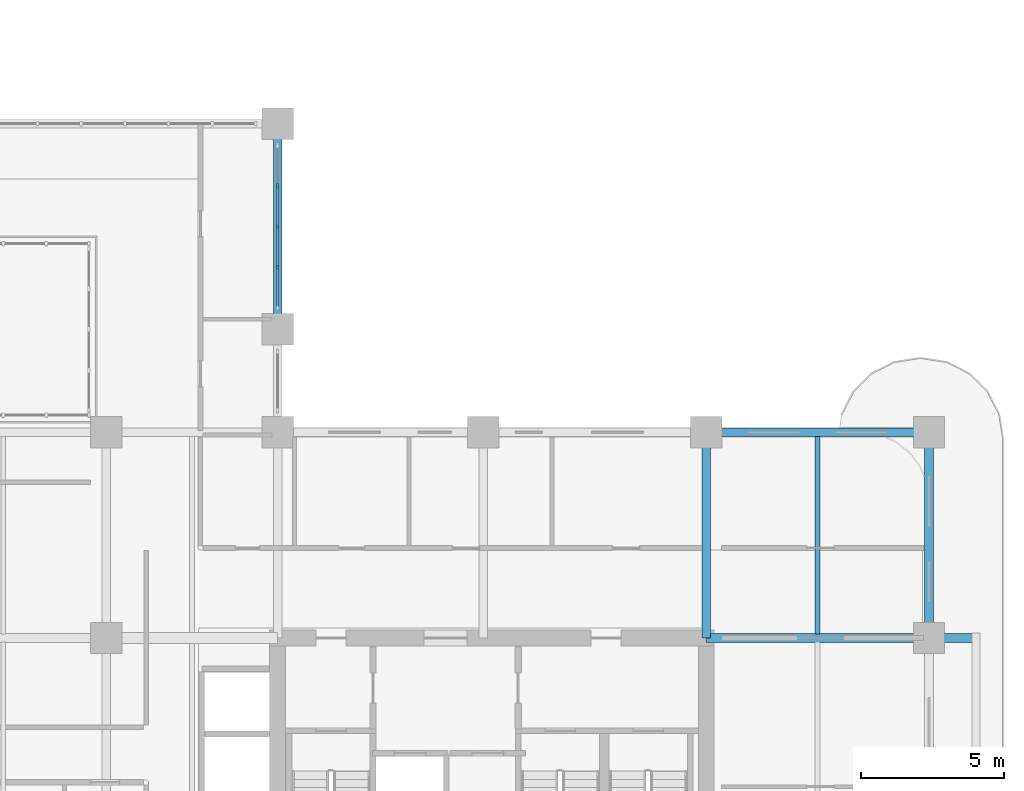
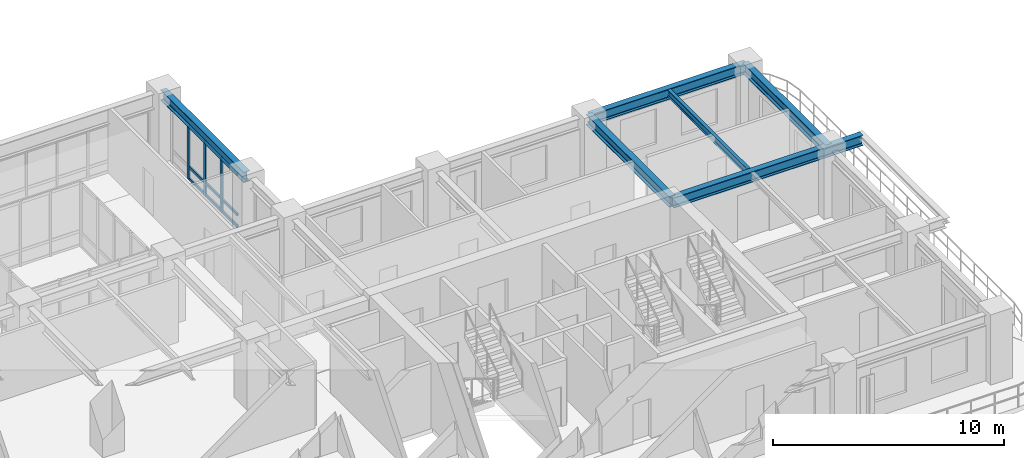
# One storey, part 5 of 22: 12 members, 6 beams, 1 element without a shape of its own.
"""IFC4 building model written with IfcOpenShell, lengths in metres."""

from ifc_helpers import new_model, si_unit, derived_unit, direction, frame, origin, origin_2d, place, context, subcontext, project, spatial, rectangle, i_section, extrude, source, transform, mapped, material, layer, layer_set, material_profile, profile_set, type_object, type_shapes, element, aggregate, save


model = new_model("IFC4")

# Units and contexts
model_context = context("Model", 3, precision=1e-05, world=origin(), true_north=direction((0.0, 1.0)))
body_context = subcontext(model_context, "Body", "Model", "MODEL_VIEW")
ifc_project = project(units=[si_unit("LENGTHUNIT", "METRE"), si_unit("AREAUNIT", "SQUARE_METRE"), si_unit("VOLUMEUNIT", "CUBIC_METRE"), si_unit("PLANEANGLEUNIT", "RADIAN"), si_unit("MASSUNIT", "GRAM", prefix="KILO"), si_unit("THERMODYNAMICTEMPERATUREUNIT", "KELVIN"), si_unit("POWERUNIT", "WATT"), derived_unit("THERMALTRANSMITTANCEUNIT", [(si_unit("POWERUNIT", "WATT"), 1), (si_unit("AREAUNIT", "SQUARE_METRE"), -1), (si_unit("THERMODYNAMICTEMPERATUREUNIT", "KELVIN"), -1)])], contexts=[model_context])

# Site, building, storey
site_placement = place(None, origin())
site = spatial("IfcSite", under=ifc_project, at=site_placement, CompositionType="ELEMENT")
building_placement = place(site_placement, origin())
building = spatial("IfcBuilding", under=site, at=building_placement, Name="Zahravan Archway Hotel and Residences", CompositionType="ELEMENT")
storey_placement = place(building_placement, frame((0.0, 0.0, 76.800048828125)))
storey = spatial("IfcBuildingStorey", under=building, at=storey_placement, Name="L18", CompositionType="ELEMENT", Elevation=76.800048828125)

# Beams
ifc_material_1 = material(Name="Structural Steel S355JR", Category="steel")
ifc_material_profile_1 = material_profile(ifc_material_1, i_section(OverallWidth=0.300048828125, OverallDepth=0.550048828125, WebThickness=0.014892578125, FlangeThickness=0.029052734375, FilletRadius=0.027099609375, at=origin_2d()), Name="HEB 550", Category="steel")
ifc_profile_set_1 = profile_set([ifc_material_profile_1], Name="Structural Steel S355JR")
beam_type_1 = type_object("IfcBeamType", Name="BM-PRI-HEB550", PredefinedType="BEAM", material=ifc_profile_set_1)
shared_shape_1 = source(origin(), body_context, "Body", "SweptSolid", [
    extrude(i_section(OverallWidth=0.300048828125, OverallDepth=0.550048828125, WebThickness=0.014892578125, FlangeThickness=0.029052734375, FilletRadius=0.027099609375, at=origin_2d()), origin(), (0.0, 0.0, 1.0), 7.2001953125),
])
type_shapes(beam_type_1, [shared_shape_1])
for number, where, z_axis, x_axis, name in (
    (1, (49.800048828125, 14.39990234375, 3.175048828125), (0.0, 1.0, 0.0), (-1.0, 0.0, 0.0), "L18 Primary Girder NS-49"),
    (2, (57.60009765625, 14.39990234375, 3.175048828125), (0.0, 1.0, 0.0), (-1.0, 0.0, 0.0), "L18 Primary Girder NS-52"),
):
    element("IfcBeam", number, at=place(storey_placement, frame(where, z_axis=z_axis, x_axis=x_axis)), inside=storey, type_object=beam_type_1, Name=name, PredefinedType="BEAM", context=body_context, shape_type="MappedRepresentation", body=[
        mapped(shared_shape_1, transform((0.0, 0.0, 0.0), scale=1.0)),
    ])
shared_shape_2 = source(origin(), body_context, "Body", "SweptSolid", [
    extrude(i_section(OverallWidth=0.300048828125, OverallDepth=0.550048828125, WebThickness=0.014892578125, FlangeThickness=0.029052734375, FilletRadius=0.027099609375, at=origin_2d()), origin(), (0.0, 0.0, 1.0), 7.199951171875),
])
beam_1_placement = place(storey_placement, frame((34.800048828125, 25.199951171875, 3.175048828125), z_axis=(0.0, 1.0, 0.0), x_axis=(-1.0, 0.0, 0.0)))
element("IfcBeam", 3, at=beam_1_placement, inside=storey, type_object=beam_type_1, Name="L18 Primary Girder NS-47", PredefinedType="BEAM", context=body_context, shape_type="MappedRepresentation", body=[
    mapped(shared_shape_2, transform((0.0, 0.0, 0.0), scale=1.0)),
])
shared_shape_3 = source(origin(), body_context, "Body", "SweptSolid", [
    extrude(i_section(OverallWidth=0.300048828125, OverallDepth=0.550048828125, WebThickness=0.014892578125, FlangeThickness=0.029052734375, FilletRadius=0.027099609375, at=origin_2d()), origin(), (0.0, 0.0, 1.0), 7.800048828125),
])
beam_2_placement = place(storey_placement, frame((49.800048828125, 21.60009765625, 3.175048828125), z_axis=(1.0, 0.0, 0.0), x_axis=(0.0, 1.0, 0.0)))
element("IfcBeam", 4, at=beam_2_placement, inside=storey, type_object=beam_type_1, Name="L18 Primary Girder EW-19", PredefinedType="BEAM", context=body_context, shape_type="MappedRepresentation", body=[
    mapped(shared_shape_3, transform((0.0, 0.0, 0.0), scale=1.0)),
])
shared_shape_4 = source(origin(), body_context, "Body", "SweptSolid", [
    extrude(i_section(OverallWidth=0.300048828125, OverallDepth=0.550048828125, WebThickness=0.014892578125, FlangeThickness=0.029052734375, FilletRadius=0.027099609375, at=origin_2d()), origin(), (0.0, 0.0, 1.0), 9.449951171875),
])
beam_3_placement = place(storey_placement, frame((49.800048828125, 14.39990234375, 3.175048828125), z_axis=(1.0, 0.0, 0.0), x_axis=(0.0, 1.0, 0.0)))
element("IfcBeam", 5, at=beam_3_placement, inside=storey, type_object=beam_type_1, Name="L18 Primary Girder EW-13", PredefinedType="BEAM", context=body_context, shape_type="MappedRepresentation", body=[
    mapped(shared_shape_4, transform((0.0, 0.0, 0.0), scale=1.0)),
])
ifc_material_profile_2 = material_profile(ifc_material_1, i_section(OverallWidth=0.169921875, OverallDepth=0.360107421875, WebThickness=0.008056640625, FlangeThickness=0.0126953125, FilletRadius=0.01806640625, at=origin_2d()), Name="IPE 360", Category="steel")
ifc_profile_set_2 = profile_set([ifc_material_profile_2], Name="Structural Steel S355JR")
beam_type_2 = type_object("IfcBeamType", Name="BM-JST-IPE360", PredefinedType="JOIST", material=ifc_profile_set_2)
shared_shape_5 = source(origin(), body_context, "Body", "SweptSolid", [
    extrude(i_section(OverallWidth=0.169921875, OverallDepth=0.360107421875, WebThickness=0.008056640625, FlangeThickness=0.0126953125, FilletRadius=0.01806640625, at=origin_2d()), origin(), (0.0, 0.0, 1.0), 6.90380859375),
])
beam_4_placement = place(storey_placement, frame((53.699951171875, 14.548095703125, 3.27001953125), z_axis=(0.0, 1.0, 0.0), x_axis=(-1.0, 0.0, 0.0)))
element("IfcBeam", 6, at=beam_4_placement, inside=storey, type_object=beam_type_2, Name="L18 Composite Floor Joist 12", PredefinedType="JOIST", context=body_context, shape_type="MappedRepresentation", body=[
    mapped(shared_shape_5, transform((0.0, 0.0, 0.0), scale=1.0)),
])

# Curtain wall, members
ifc_material_2 = material(Name="Bronze-Anodized Unitised Aluminium & Low-E Glass", Category="aluminium")
ifc_layer = layer(ifc_material_2, 0.179931640625, Name="Bronze-Anodized Unitised Aluminium & Low-E Glass", Category="aluminium")
ifc_layer_set = layer_set([ifc_layer], Name="Bronze-Anodized Unitised Aluminium & Low-E Glass")
curtain_wall_type = type_object("IfcCurtainWallType", Name="CW-ATR-GLAZ", PredefinedType="NOTDEFINED", material=ifc_layer_set)
curtain_wall_placement = place(storey_placement, origin())
curtain_wall = element("IfcCurtainWall", 7, at=curtain_wall_placement, inside=storey, type_object=curtain_wall_type, Name="L18 Curtain Wall CW-L18-HNG-E-2", PredefinedType="NOTDEFINED")
ifc_material_3 = material(Name="Bronze-Anodized Extruded Aluminium", Category="aluminium")
ifc_material_profile_3 = material_profile(ifc_material_3, rectangle(XDim=0.080078125, YDim=0.139892578125, at=origin_2d()), Name="TRN 80x140", Category="aluminium")
ifc_profile_set_3 = profile_set([ifc_material_profile_3], Name="Bronze-Anodized Extruded Aluminium")
member_type_1 = type_object("IfcMemberType", Name="CWM-TRN-140", PredefinedType="USERDEFINED", material=ifc_profile_set_3)
shared_shape_6 = source(origin(), body_context, "Body", "SweptSolid", [
    extrude(rectangle(XDim=0.080078125, YDim=0.139892578125, at=origin_2d()), origin(), (0.0, 0.0, 1.0), 1.33984375),
])
member_1_placement = place(storey_placement, frame((34.800048828125, 28.840087890625, 0.070068359375), z_axis=(0.0, 1.0, 0.0), x_axis=(-1.0, 0.0, 0.0)))
member_1 = element("IfcMember", 8, at=member_1_placement, type_object=member_type_1, Name="CW-L18-HNG-E-2 Transom 2-1", ObjectType="TRANSOM", PredefinedType="USERDEFINED", context=body_context, shape_type="MappedRepresentation", body=[
    mapped(shared_shape_6, transform((0.0, 0.0, 0.0), scale=1.0)),
])
member_2_placement = place(storey_placement, frame((34.800048828125, 28.840087890625, 0.6923828125), z_axis=(0.0, 1.0, 0.0), x_axis=(-1.0, 0.0, 0.0)))
member_2 = element("IfcMember", 9, at=member_2_placement, type_object=member_type_1, Name="CW-L18-HNG-E-2 Transom 2-2", ObjectType="TRANSOM", PredefinedType="USERDEFINED", context=body_context, shape_type="MappedRepresentation", body=[
    mapped(shared_shape_6, transform((0.0, 0.0, 0.0), scale=1.0)),
])
member_3_placement = place(storey_placement, frame((34.800048828125, 28.840087890625, 2.81494140625), z_axis=(0.0, 1.0, 0.0), x_axis=(-1.0, 0.0, 0.0)))
member_3 = element("IfcMember", 10, at=member_3_placement, type_object=member_type_1, Name="CW-L18-HNG-E-2 Transom 2-3", ObjectType="TRANSOM", PredefinedType="USERDEFINED", context=body_context, shape_type="MappedRepresentation", body=[
    mapped(shared_shape_6, transform((0.0, 0.0, 0.0), scale=1.0)),
])
shared_shape_7 = source(origin(), body_context, "Body", "SweptSolid", [
    extrude(rectangle(XDim=0.080078125, YDim=0.139892578125, at=origin_2d()), origin(), (0.0, 0.0, 1.0), 1.340087890625),
])
member_4_placement = place(storey_placement, frame((34.800048828125, 26.0, 0.070068359375), z_axis=(0.0, 1.0, 0.0), x_axis=(-1.0, 0.0, 0.0)))
member_4 = element("IfcMember", 11, at=member_4_placement, type_object=member_type_1, Name="CW-L18-HNG-E-2 Transom 0-1", ObjectType="TRANSOM", PredefinedType="USERDEFINED", context=body_context, shape_type="MappedRepresentation", body=[
    mapped(shared_shape_7, transform((0.0, 0.0, 0.0), scale=1.0)),
])
member_5_placement = place(storey_placement, frame((34.800048828125, 26.0, 0.6923828125), z_axis=(0.0, 1.0, 0.0), x_axis=(-1.0, 0.0, 0.0)))
member_5 = element("IfcMember", 12, at=member_5_placement, type_object=member_type_1, Name="CW-L18-HNG-E-2 Transom 0-2", ObjectType="TRANSOM", PredefinedType="USERDEFINED", context=body_context, shape_type="MappedRepresentation", body=[
    mapped(shared_shape_7, transform((0.0, 0.0, 0.0), scale=1.0)),
])
member_6_placement = place(storey_placement, frame((34.800048828125, 26.0, 2.81494140625), z_axis=(0.0, 1.0, 0.0), x_axis=(-1.0, 0.0, 0.0)))
member_6 = element("IfcMember", 13, at=member_6_placement, type_object=member_type_1, Name="CW-L18-HNG-E-2 Transom 0-3", ObjectType="TRANSOM", PredefinedType="USERDEFINED", context=body_context, shape_type="MappedRepresentation", body=[
    mapped(shared_shape_7, transform((0.0, 0.0, 0.0), scale=1.0)),
])
member_7_placement = place(storey_placement, frame((34.800048828125, 27.419921875, 0.070068359375), z_axis=(0.0, 1.0, 0.0), x_axis=(-1.0, 0.0, 0.0)))
member_7 = element("IfcMember", 14, at=member_7_placement, type_object=member_type_1, Name="CW-L18-HNG-E-2 Transom 1-1", ObjectType="TRANSOM", PredefinedType="USERDEFINED", context=body_context, shape_type="MappedRepresentation", body=[
    mapped(shared_shape_7, transform((0.0, 0.0, 0.0), scale=1.0)),
])
member_8_placement = place(storey_placement, frame((34.800048828125, 27.419921875, 0.6923828125), z_axis=(0.0, 1.0, 0.0), x_axis=(-1.0, 0.0, 0.0)))
member_8 = element("IfcMember", 15, at=member_8_placement, type_object=member_type_1, Name="CW-L18-HNG-E-2 Transom 1-2", ObjectType="TRANSOM", PredefinedType="USERDEFINED", context=body_context, shape_type="MappedRepresentation", body=[
    mapped(shared_shape_7, transform((0.0, 0.0, 0.0), scale=1.0)),
])
member_9_placement = place(storey_placement, frame((34.800048828125, 27.419921875, 2.81494140625), z_axis=(0.0, 1.0, 0.0), x_axis=(-1.0, 0.0, 0.0)))
member_9 = element("IfcMember", 16, at=member_9_placement, type_object=member_type_1, Name="CW-L18-HNG-E-2 Transom 1-3", ObjectType="TRANSOM", PredefinedType="USERDEFINED", context=body_context, shape_type="MappedRepresentation", body=[
    mapped(shared_shape_7, transform((0.0, 0.0, 0.0), scale=1.0)),
])
ifc_material_profile_4 = material_profile(ifc_material_3, rectangle(XDim=0.080078125, YDim=0.159912109375, at=origin_2d()), Name="MUL 80x160", Category="aluminium")
ifc_profile_set_4 = profile_set([ifc_material_profile_4], Name="Bronze-Anodized Extruded Aluminium")
member_type_2 = type_object("IfcMemberType", Name="CWM-MUL-160", PredefinedType="MULLION", material=ifc_profile_set_4)
shared_shape_8 = source(origin(), body_context, "Body", "SweptSolid", [
    extrude(rectangle(XDim=0.080078125, YDim=0.159912109375, at=origin_2d()), origin(), (0.0, 0.0, 1.0), 2.885009765625),
])
member_10_placement = place(storey_placement, frame((34.800048828125, 27.3798828125, 0.0), z_axis=(0.0, 0.0, 1.0), x_axis=(1.0, 0.0, 0.0)))
member_10 = element("IfcMember", 17, at=member_10_placement, type_object=member_type_2, Name="CW-L18-HNG-E-2 Mullion 1", PredefinedType="MULLION", context=body_context, shape_type="MappedRepresentation", body=[
    mapped(shared_shape_8, transform((0.0, 0.0, 0.0), scale=1.0)),
])
member_11_placement = place(storey_placement, frame((34.800048828125, 28.800048828125, 0.0), z_axis=(0.0, 0.0, 1.0), x_axis=(1.0, 0.0, 0.0)))
member_11 = element("IfcMember", 18, at=member_11_placement, type_object=member_type_2, Name="CW-L18-HNG-E-2 Mullion 2", PredefinedType="MULLION", context=body_context, shape_type="MappedRepresentation", body=[
    mapped(shared_shape_8, transform((0.0, 0.0, 0.0), scale=1.0)),
])
member_12_placement = place(storey_placement, frame((34.800048828125, 30.219970703125, 0.0), z_axis=(0.0, 0.0, 1.0), x_axis=(1.0, 0.0, 0.0)))
member_12 = element("IfcMember", 19, at=member_12_placement, type_object=member_type_2, Name="CW-L18-HNG-E-2 Mullion 3", PredefinedType="MULLION", context=body_context, shape_type="MappedRepresentation", body=[
    mapped(shared_shape_8, transform((0.0, 0.0, 0.0), scale=1.0)),
])
aggregate(curtain_wall, [member_10, member_11, member_12, member_4, member_5, member_6, member_7, member_8, member_9, member_1, member_2, member_3])

save(model, "model.ifc")
